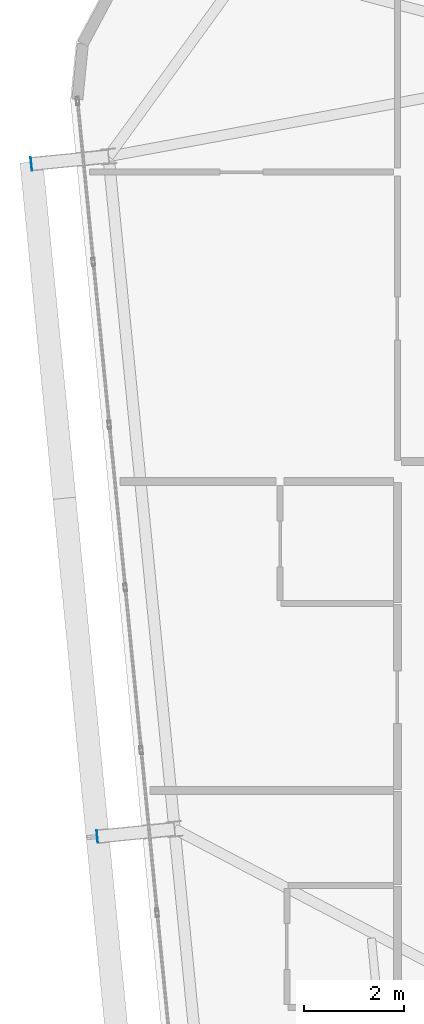
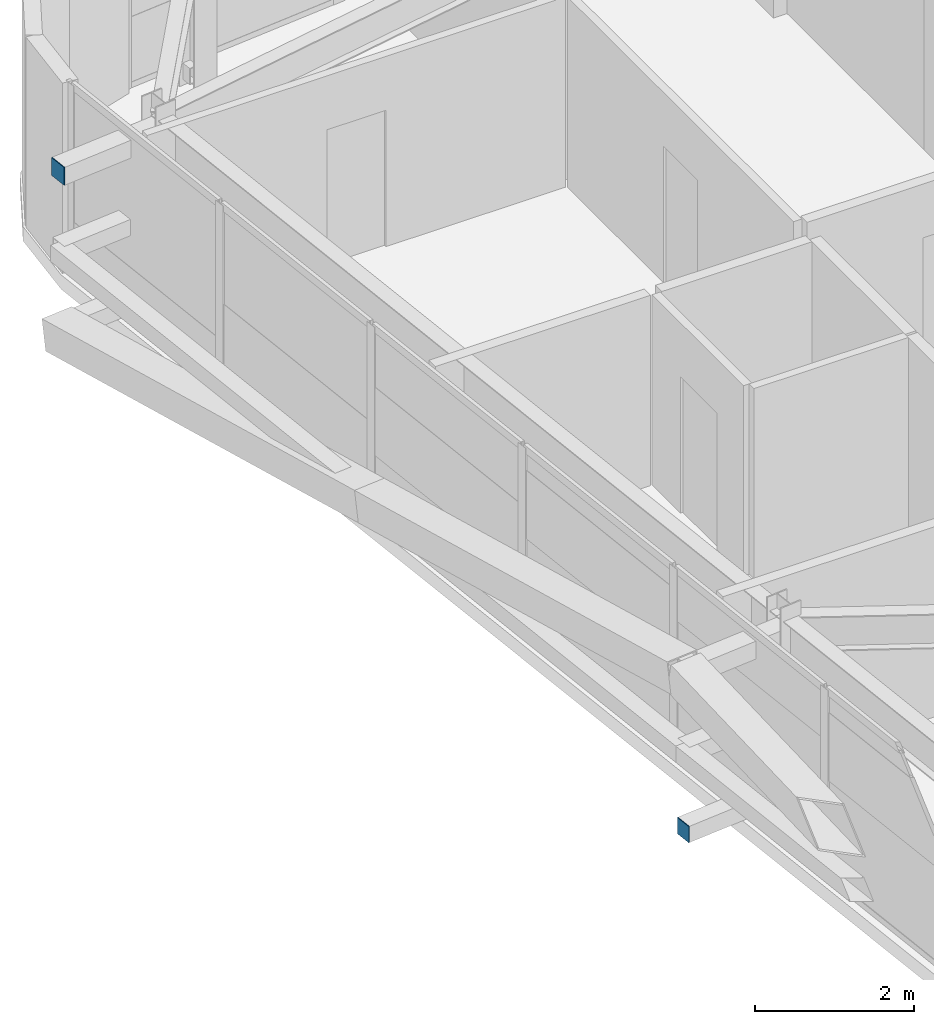
# One storey, part 40 of 53: 2 plates.
"""IFC4 building model written with IfcOpenShell, lengths in metres."""

from ifc_helpers import new_model, si_unit, direction, frame, origin, origin_2d, place, context, subcontext, project, spatial, rectangle, extrude, source, transform, mapped, material, layer, layer_set, type_object, element, save


model = new_model("IFC4")

# Units and contexts
model_context = context("Model", 3, precision=1e-05, world=origin(), true_north=direction((0.0, 1.0)))
body_context = subcontext(model_context, "Body", "Model", "MODEL_VIEW")
ifc_project = project(units=[si_unit("LENGTHUNIT", "METRE"), si_unit("AREAUNIT", "SQUARE_METRE"), si_unit("VOLUMEUNIT", "CUBIC_METRE"), si_unit("PLANEANGLEUNIT", "RADIAN"), si_unit("MASSUNIT", "GRAM", prefix="KILO")], contexts=[model_context])

# Site, building, storey
site_placement = place(None, origin())
site = spatial("IfcSite", under=ifc_project, at=site_placement, CompositionType="ELEMENT")
building_placement = place(site_placement, origin())
building = spatial("IfcBuilding", under=site, at=building_placement, Name="Taldren Reach Tower", CompositionType="ELEMENT")
storey_placement = place(building_placement, frame((0.0, 0.0, 80.85009765625)))
storey = spatial("IfcBuildingStorey", under=building, at=storey_placement, Name="L24", CompositionType="ELEMENT", Elevation=80.85009765625)

# Plates
ifc_material_1 = material(Name="Steel Gr 450 (C450L0)", Category="steel")
ifc_layer_1 = layer(ifc_material_1, 0.011962890625)
ifc_layer_set_1 = layer_set([ifc_layer_1], Name="Steel Gr 450 (C450L0)")
plate_type_1 = type_object("IfcPlateType", Name="PL-CAP-275", PredefinedType="SHEET", material=ifc_layer_set_1)
shared_shape_1 = source(origin(), body_context, "Body", "SweptSolid", [
    extrude(rectangle(XDim=0.011962890625, YDim=0.27490234375, at=origin_2d()), origin(), (0.0, 0.0, 1.0), 0.27490234375),
])
plate_1_placement = place(storey_placement, frame((7.259765625, 29.964599609375, 2.512451171875), z_axis=(0.0, 0.0, 1.0), x_axis=(0.995227399982, 0.097582899759, 0.0)))
element("IfcPlate", 1, at=plate_1_placement, inside=storey, type_object=plate_type_1, Name="Tie strut end cap plate B2-W3 L24", PredefinedType="SHEET", context=body_context, shape_type="MappedRepresentation", body=[
    mapped(shared_shape_1, transform((0.0, 0.0, 0.0), scale=1.0)),
])
ifc_material_2 = material(Name="Steel Gr 350 (C350L0)", Category="steel")
ifc_layer_2 = layer(ifc_material_2, 0.011962890625)
ifc_layer_set_2 = layer_set([ifc_layer_2], Name="Steel Gr 350 (C350L0)")
plate_type_2 = type_object("IfcPlateType", Name="PL-CAP-250", PredefinedType="SHEET", material=ifc_layer_set_2)
shared_shape_2 = source(origin(), body_context, "Body", "SweptSolid", [
    extrude(rectangle(XDim=0.011962890625, YDim=0.25, at=origin_2d()), origin(), (0.0, 0.0, 1.0), 0.25),
])
plate_2_placement = place(storey_placement, frame((8.58203125, 16.479248046875, 0.094970703125), z_axis=(0.0, 0.0, 1.0), x_axis=(0.995227399982, 0.097582899759, 0.0)))
element("IfcPlate", 2, at=plate_2_placement, inside=storey, type_object=plate_type_2, Name="Tie strut end cap plate B2-W2 L24", PredefinedType="SHEET", context=body_context, shape_type="MappedRepresentation", body=[
    mapped(shared_shape_2, transform((0.0, 0.0, 0.0), scale=1.0)),
])

save(model, "model.ifc")
